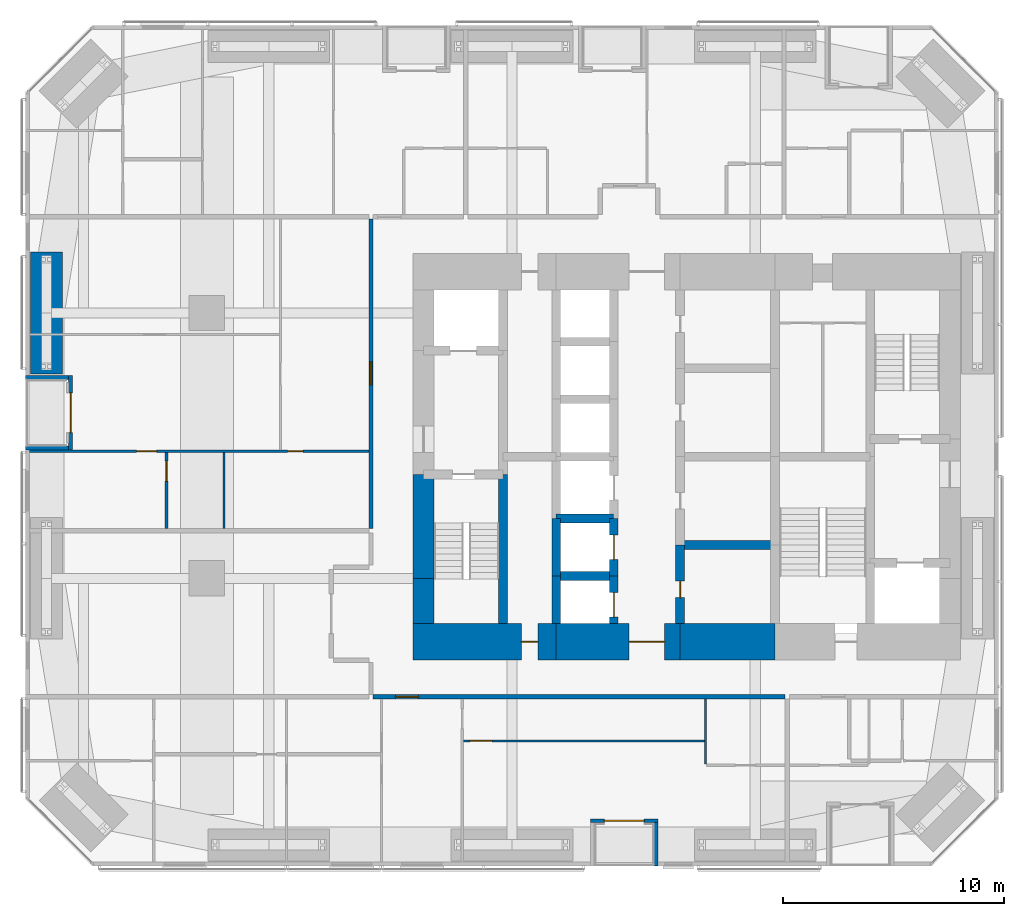
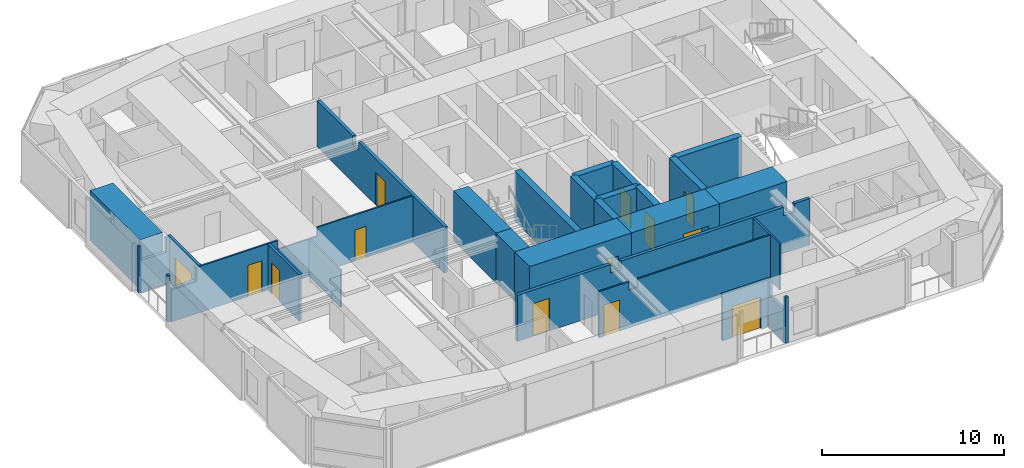
# One storey, part 18 of 24: 27 walls, 13 doors, 13 openings.
"""IFC4 building model written with IfcOpenShell, lengths in metres."""

from ifc_helpers import new_model, si_unit, direction, frame, frame_2d, origin, place, context, subcontext, project, spatial, polyline, rectangle, outline, extrude, material, layer, layer_set, constituent, constituent_set, type_object, element, fill, save


model = new_model("IFC4")

# Units and contexts
model_context = context("Model", 3, precision=1e-05, world=origin(), true_north=direction((0.0, 1.0)))
body_context = subcontext(model_context, "Body", "Model", "MODEL_VIEW")
ifc_project = project(units=[si_unit("LENGTHUNIT", "METRE"), si_unit("AREAUNIT", "SQUARE_METRE"), si_unit("VOLUMEUNIT", "CUBIC_METRE"), si_unit("PLANEANGLEUNIT", "RADIAN"), si_unit("MASSUNIT", "GRAM", prefix="KILO")], contexts=[model_context])

# Site, building, storey
site_placement = place(None, origin())
site = spatial("IfcSite", under=ifc_project, at=site_placement, CompositionType="ELEMENT")
building_placement = place(site_placement, origin())
building = spatial("IfcBuilding", under=site, at=building_placement, Name="Jalousie Tower", CompositionType="ELEMENT")
storey_placement = place(building_placement, frame((0.0, 0.0, 47.800048828125)))
storey = spatial("IfcBuildingStorey", under=building, at=storey_placement, Name="L12", CompositionType="ELEMENT", Elevation=47.800048828125)

# Wall, opening, door
ifc_material_1 = material(Name="Concrete block ASTM C90", Category="concrete")
ifc_constituent_1 = constituent(ifc_material_1, Name="Body")
ifc_material_2 = material(Name="Render")
ifc_constituent_2 = constituent(ifc_material_2, Name="Finish")
ifc_constituent_set_1 = constituent_set(constituents=[ifc_constituent_1, ifc_constituent_2])
wall_type_1 = type_object("IfcWallType", Name="BATHROOM WALL 150", PredefinedType="PLUMBINGWALL", material=ifc_constituent_set_1)
wall_1_placement = place(storey_placement, frame((8.375, 15.25, 0.0), z_axis=(0.0, 0.0, 1.0), x_axis=(0.0, 1.0, 0.0)))
wall_1 = element("IfcWall", 1, at=wall_1_placement, inside=storey, type_object=wall_type_1, Name="Bathroom Wall 150 L12", PredefinedType="PLUMBINGWALL", context=body_context, shape_type="SweptSolid", body=[
    extrude(rectangle(XDim=3.449951171875, YDim=0.14990234375, at=frame_2d((1.72509765625, 0.0))), origin(), (0.0, 0.0, 1.0), 3.10986328125),
])
opening_1_placement = place(wall_1_placement, frame((2.14990234375, 0.0, 0.0)))
opening_1 = element("IfcOpeningElement", 2, at=opening_1_placement, cuts=wall_1, Name="Opening D3", PredefinedType="OPENING", context=body_context, shape_type="SweptSolid", body=[
    extrude(rectangle(XDim=0.89990234375, YDim=2.10009765625, at=frame_2d((0.449951171875, 1.050048828125))), frame((0.0, 0.0849609375, 0.0), z_axis=(0.0, -1.0, 0.0), x_axis=(1.0, 0.0, 0.0)), (0.0, 0.0, 1.0), 0.169921875),
])
ifc_material_3 = material(Name="Timber door", Category="wood")
door_type_1 = type_object("IfcDoorType", Name="BATHROOM DOOR 900", OperationType="SINGLE_SWING_LEFT", PredefinedType="DOOR", material=ifc_material_3)
door_1_placement = place(opening_1_placement, frame((0.89990234375, 0.0, 0.0), z_axis=(0.0, 0.0, 1.0), x_axis=(-1.0, 0.0, 0.0)))
door_1 = element("IfcDoor", 3, at=door_1_placement, inside=storey, type_object=door_type_1, Name="Apartment 1206 bedroom 1 bathroom door", OperationType="SINGLE_SWING_LEFT", OverallHeight=2.10009765625, OverallWidth=0.89990234375, PredefinedType="DOOR", context=body_context, shape_type="SweptSolid", body=[
    extrude(rectangle(XDim=0.89990234375, YDim=2.10009765625, at=frame_2d((0.449951171875, 1.050048828125))), frame((0.0, 0.02490234375, 0.0), z_axis=(0.0, -1.0, 0.0), x_axis=(1.0, 0.0, 0.0)), (0.0, 0.0, 1.0), 0.050048828125),
])
fill(opening_1, door_1)

ifc_material_4 = material(Name="Concrete f'c 120 MPa", Category="concrete")
ifc_layer_1 = layer(ifc_material_4, 1.64990234375)
ifc_layer_set_1 = layer_set([ifc_layer_1], Name="Concrete f'c 120 MPa")
wall_type_2 = type_object("IfcWallType", Name="CORE WALL 1650", PredefinedType="SHEAR", material=ifc_layer_set_1)
wall_2_placement = place(storey_placement, frame((19.52490234375, 10.125, 0.0), z_axis=(0.0, 0.0, 1.0), x_axis=(1.0, 0.0, 0.0)))
wall_2 = element("IfcWall", 4, at=wall_2_placement, inside=storey, type_object=wall_type_2, Name="Core wall SA L12", PredefinedType="SHEAR", context=body_context, shape_type="SweptSolid", body=[
    extrude(rectangle(XDim=6.47509765625, YDim=1.64990234375, at=frame_2d((3.237548828125, 0.0))), origin(), (0.0, 0.0, 1.0), 3.349853515625),
])
opening_2_placement = place(wall_2_placement, frame((4.89990234375, 0.0, 0.0)))
opening_2 = element("IfcOpeningElement", 5, at=opening_2_placement, cuts=wall_2, Name="Opening D16", PredefinedType="OPENING", context=body_context, shape_type="SweptSolid", body=[
    extrude(rectangle(XDim=0.75, YDim=2.10009765625, at=frame_2d((0.375, 1.050048828125))), frame((0.0, 0.8349609375, 0.0), z_axis=(0.0, -1.0, 0.0), x_axis=(1.0, 0.0, 0.0)), (0.0, 0.0, 1.0), 1.669921875),
])
ifc_material_5 = material(Name="Steel fire door", Category="steel")
door_type_2 = type_object("IfcDoorType", Name="RISER DOOR 750", OperationType="SINGLE_SWING_LEFT", PredefinedType="DOOR", material=ifc_material_5)
door_2_placement = place(opening_2_placement, origin())
door_2 = element("IfcDoor", 6, at=door_2_placement, inside=storey, type_object=door_type_2, Name="South riser door", OperationType="SINGLE_SWING_LEFT", OverallHeight=2.10009765625, OverallWidth=0.75, PredefinedType="DOOR", context=body_context, shape_type="SweptSolid", body=[
    extrude(rectangle(XDim=0.75, YDim=2.10009765625, at=frame_2d((0.375, 1.050048828125))), frame((0.0, 0.02490234375, 0.0), z_axis=(0.0, -1.0, 0.0), x_axis=(1.0, 0.0, 0.0)), (0.0, 0.0, 1.0), 0.050048828125),
])
fill(opening_2, door_2)

wall_3_placement = place(storey_placement, frame((26.0, 10.125, 0.0), z_axis=(0.0, 0.0, 1.0), x_axis=(1.0, 0.0, 0.0)))
wall_3 = element("IfcWall", 7, at=wall_3_placement, inside=storey, type_object=wall_type_2, Name="Core wall SB L12", PredefinedType="SHEAR", context=body_context, shape_type="SweptSolid", body=[
    extrude(rectangle(XDim=5.60009765625, YDim=1.64990234375, at=frame_2d((2.800048828125, 0.0))), origin(), (0.0, 0.0, 1.0), 3.349853515625),
])
opening_3_placement = place(wall_3_placement, frame((3.300048828125, 0.0, 0.0)))
opening_3 = element("IfcOpeningElement", 8, at=opening_3_placement, cuts=wall_3, Name="Opening D15", PredefinedType="OPENING", context=body_context, shape_type="SweptSolid", body=[
    extrude(rectangle(XDim=1.60009765625, YDim=2.10009765625, at=frame_2d((0.800048828125, 1.050048828125))), frame((0.0, 0.8349609375, 0.0), z_axis=(0.0, -1.0, 0.0), x_axis=(1.0, 0.0, 0.0)), (0.0, 0.0, 1.0), 1.669921875),
])
ifc_material_6 = material(Name="Steel fire door", Category="steel")
door_type_3 = type_object("IfcDoorType", Name="LIFT LOBBY DOOR 1600", OperationType="DOUBLE_DOOR_SINGLE_SWING", PredefinedType="DOOR", material=ifc_material_6)
door_3_placement = place(opening_3_placement, origin())
door_3 = element("IfcDoor", 9, at=door_3_placement, inside=storey, type_object=door_type_3, Name="Lift lobby south door", OperationType="DOUBLE_DOOR_SINGLE_SWING", OverallHeight=2.10009765625, OverallWidth=1.60009765625, PredefinedType="DOOR", context=body_context, shape_type="SweptSolid", body=[
    extrude(rectangle(XDim=1.60009765625, YDim=2.10009765625, at=frame_2d((0.800048828125, 1.050048828125))), frame((0.0, 0.02490234375, 0.0), z_axis=(0.0, -1.0, 0.0), x_axis=(1.0, 0.0, 0.0)), (0.0, 0.0, 1.0), 0.050048828125),
])
fill(opening_3, door_3)

# Walls
wall_4_placement = place(storey_placement, frame((31.60009765625, 10.125, 0.0), z_axis=(0.0, 0.0, 1.0), x_axis=(1.0, 0.0, 0.0)))
element("IfcWall", 10, at=wall_4_placement, inside=storey, type_object=wall_type_2, Name="Core wall SC L12", PredefinedType="SHEAR", context=body_context, shape_type="SweptSolid", body=[
    extrude(rectangle(XDim=4.2998046875, YDim=1.64990234375, at=frame_2d((2.14990234375, 0.0))), origin(), (0.0, 0.0, 1.0), 3.349853515625),
])
ifc_material_7 = material(Name="Concrete f'c 120 MPa", Category="concrete")
ifc_layer_2 = layer(ifc_material_7, 0.39990234375)
ifc_layer_set_2 = layer_set([ifc_layer_2], Name="Concrete f'c 120 MPa")
wall_type_3 = type_object("IfcWallType", Name="CORE WALL 400", PredefinedType="SHEAR", material=ifc_layer_set_2)
wall_5_placement = place(storey_placement, frame((23.60009765625, 10.949951171875, 0.0), z_axis=(0.0, 0.0, 1.0), x_axis=(0.0, 1.0, 0.0)))
element("IfcWall", 11, at=wall_5_placement, inside=storey, type_object=wall_type_3, Name="Core wall X23.6A L12", PredefinedType="SHEAR", context=body_context, shape_type="SweptSolid", body=[
    extrude(rectangle(XDim=6.75, YDim=0.39990234375, at=frame_2d((3.375, 0.0))), origin(), (0.0, 0.0, 1.0), 3.349853515625),
])
wall_6_placement = place(storey_placement, frame((26.0, 10.949951171875, 0.0), z_axis=(0.0, 0.0, 1.0), x_axis=(0.0, 1.0, 0.0)))
element("IfcWall", 12, at=wall_6_placement, inside=storey, type_object=wall_type_3, Name="Core wall X26A L12", PredefinedType="SHEAR", context=body_context, shape_type="SweptSolid", body=[
    extrude(rectangle(XDim=2.150146484375, YDim=0.39990234375, at=frame_2d((1.0751953125, 0.0))), origin(), (0.0, 0.0, 1.0), 3.349853515625),
])
wall_7_placement = place(storey_placement, frame((26.0, 13.10009765625, 0.0), z_axis=(0.0, 0.0, 1.0), x_axis=(0.0, 1.0, 0.0)))
element("IfcWall", 13, at=wall_7_placement, inside=storey, type_object=wall_type_3, Name="Core wall X26B L12", PredefinedType="SHEAR", context=body_context, shape_type="SweptSolid", body=[
    extrude(rectangle(XDim=2.599853515625, YDim=0.39990234375, at=frame_2d((1.2998046875, 0.0))), origin(), (0.0, 0.0, 1.0), 3.349853515625),
])

# Wall, opening, door
wall_8_placement = place(storey_placement, frame((28.60009765625, 10.949951171875, 0.0), z_axis=(0.0, 0.0, 1.0), x_axis=(0.0, 1.0, 0.0)))
wall_8 = element("IfcWall", 14, at=wall_8_placement, inside=storey, type_object=wall_type_3, Name="Core wall X28.6A L12", PredefinedType="SHEAR", context=body_context, shape_type="SweptSolid", body=[
    extrude(rectangle(XDim=2.150146484375, YDim=0.39990234375, at=frame_2d((1.0751953125, 0.0))), origin(), (0.0, 0.0, 1.0), 3.349853515625),
])
opening_4_placement = place(wall_8_placement, frame((0.300048828125, 0.0, 0.0)))
opening_4 = element("IfcOpeningElement", 15, at=opening_4_placement, cuts=wall_8, Name="Opening LD1", PredefinedType="OPENING", context=body_context, shape_type="SweptSolid", body=[
    extrude(rectangle(XDim=1.10009765625, YDim=2.10009765625, at=frame_2d((0.550048828125, 1.050048828125))), frame((0.0, 0.2099609375, 0.0), z_axis=(0.0, -1.0, 0.0), x_axis=(1.0, 0.0, 0.0)), (0.0, 0.0, 1.0), 0.419921875),
])
ifc_material_8 = material(Name="Steel lift landing door", Category="steel")
door_type_4 = type_object("IfcDoorType", Name="LIFT LANDING DOOR 1100", OperationType="SLIDING_TO_LEFT", PredefinedType="DOOR", material=ifc_material_8)
door_4_placement = place(opening_4_placement, origin())
door_4 = element("IfcDoor", 16, at=door_4_placement, inside=storey, type_object=door_type_4, Name="Lift P1 landing door", OperationType="SLIDING_TO_LEFT", OverallHeight=2.10009765625, OverallWidth=1.10009765625, PredefinedType="DOOR", context=body_context, shape_type="SweptSolid", body=[
    extrude(rectangle(XDim=1.10009765625, YDim=2.10009765625, at=frame_2d((0.550048828125, 1.050048828125))), frame((0.0, 0.02490234375, 0.0), z_axis=(0.0, -1.0, 0.0), x_axis=(1.0, 0.0, 0.0)), (0.0, 0.0, 1.0), 0.050048828125),
])
fill(opening_4, door_4)

wall_9_placement = place(storey_placement, frame((28.60009765625, 13.10009765625, 0.0), z_axis=(0.0, 0.0, 1.0), x_axis=(0.0, 1.0, 0.0)))
wall_9 = element("IfcWall", 17, at=wall_9_placement, inside=storey, type_object=wall_type_3, Name="Core wall X28.6B L12", PredefinedType="SHEAR", context=body_context, shape_type="SweptSolid", body=[
    extrude(rectangle(XDim=2.599853515625, YDim=0.39990234375, at=frame_2d((1.2998046875, 0.0))), origin(), (0.0, 0.0, 1.0), 3.349853515625),
])
opening_5_placement = place(wall_9_placement, frame((0.75, 0.0, 0.0)))
opening_5 = element("IfcOpeningElement", 18, at=opening_5_placement, cuts=wall_9, Name="Opening LD1", PredefinedType="OPENING", context=body_context, shape_type="SweptSolid", body=[
    extrude(rectangle(XDim=1.10009765625, YDim=2.10009765625, at=frame_2d((0.550048828125, 1.050048828125))), frame((0.0, 0.2099609375, 0.0), z_axis=(0.0, -1.0, 0.0), x_axis=(1.0, 0.0, 0.0)), (0.0, 0.0, 1.0), 0.419921875),
])
door_5_placement = place(opening_5_placement, origin())
door_5 = element("IfcDoor", 19, at=door_5_placement, inside=storey, type_object=door_type_4, Name="Lift P2 landing door", OperationType="SLIDING_TO_LEFT", OverallHeight=2.10009765625, OverallWidth=1.10009765625, PredefinedType="DOOR", context=body_context, shape_type="SweptSolid", body=[
    extrude(rectangle(XDim=1.10009765625, YDim=2.10009765625, at=frame_2d((0.550048828125, 1.050048828125))), frame((0.0, 0.02490234375, 0.0), z_axis=(0.0, -1.0, 0.0), x_axis=(1.0, 0.0, 0.0)), (0.0, 0.0, 1.0), 0.050048828125),
])
fill(opening_5, door_5)

wall_10_placement = place(storey_placement, frame((31.60009765625, 10.949951171875, 0.0), z_axis=(0.0, 0.0, 1.0), x_axis=(0.0, 1.0, 0.0)))
wall_10 = element("IfcWall", 20, at=wall_10_placement, inside=storey, type_object=wall_type_3, Name="Core wall X31.6A L12", PredefinedType="SHEAR", context=body_context, shape_type="SweptSolid", body=[
    extrude(rectangle(XDim=3.550048828125, YDim=0.39990234375, at=frame_2d((1.77490234375, 0.0))), origin(), (0.0, 0.0, 1.0), 3.349853515625),
])
opening_6_placement = place(wall_10_placement, frame((1.175048828125, 0.0, 0.0)))
opening_6 = element("IfcOpeningElement", 21, at=opening_6_placement, cuts=wall_10, Name="Opening D16", PredefinedType="OPENING", context=body_context, shape_type="SweptSolid", body=[
    extrude(rectangle(XDim=0.75, YDim=2.10009765625, at=frame_2d((0.375, 1.050048828125))), frame((0.0, 0.2099609375, 0.0), z_axis=(0.0, -1.0, 0.0), x_axis=(1.0, 0.0, 0.0)), (0.0, 0.0, 1.0), 0.419921875),
])
door_6_placement = place(opening_6_placement, frame((0.75, 0.0, 0.0), z_axis=(0.0, 0.0, 1.0), x_axis=(-1.0, 0.0, 0.0)))
door_6 = element("IfcDoor", 22, at=door_6_placement, inside=storey, type_object=door_type_2, Name="Refuse Room door", OperationType="SINGLE_SWING_RIGHT", OverallHeight=2.10009765625, OverallWidth=0.75, PredefinedType="DOOR", context=body_context, shape_type="SweptSolid", body=[
    extrude(rectangle(XDim=0.75, YDim=2.10009765625, at=frame_2d((0.375, 1.050048828125))), frame((0.0, 0.02490234375, 0.0), z_axis=(0.0, -1.0, 0.0), x_axis=(1.0, 0.0, 0.0)), (0.0, 0.0, 1.0), 0.050048828125),
])
fill(opening_6, door_6)

# Walls
for number, where, z_axis, x_axis, name in (
    (23, (26.0, 13.10009765625, 0.0), (0.0, 0.0, 1.0), (1.0, 0.0, 0.0), "Core wall Y26-13.1 L12"),
    (24, (26.0, 15.699951171875, 0.0), (0.0, 0.0, 1.0), (1.0, 0.0, 0.0), "Core wall Y26-15.7 L12"),
):
    element("IfcWall", number, at=place(storey_placement, frame(where, z_axis=z_axis, x_axis=x_axis)), inside=storey, type_object=wall_type_3, Name=name, PredefinedType="SHEAR", context=body_context, shape_type="SweptSolid", body=[
        extrude(rectangle(XDim=2.60009765625, YDim=0.39990234375, at=frame_2d((1.300048828125, 0.0))), origin(), (0.0, 0.0, 1.0), 3.349853515625),
    ])
wall_11_placement = place(storey_placement, frame((31.60009765625, 14.5, 0.0), z_axis=(0.0, 0.0, 1.0), x_axis=(1.0, 0.0, 0.0)))
element("IfcWall", 25, at=wall_11_placement, inside=storey, type_object=wall_type_3, Name="Core wall Y31.6-14.5 L12", PredefinedType="SHEAR", context=body_context, shape_type="SweptSolid", body=[
    extrude(rectangle(XDim=4.2998046875, YDim=0.39990234375, at=frame_2d((2.14990234375, 0.0))), origin(), (0.0, 0.0, 1.0), 3.349853515625),
])
ifc_material_9 = material(Name="Concrete f'c 120 MPa", Category="concrete")
ifc_layer_3 = layer(ifc_material_9, 0.949951171875)
ifc_layer_set_3 = layer_set([ifc_layer_3], Name="Concrete f'c 120 MPa")
wall_type_4 = type_object("IfcWallType", Name="CORE WALL 950", PredefinedType="SHEAR", material=ifc_layer_set_3)
wall_12_placement = place(storey_placement, frame((20.0, 17.699951171875, 0.0), z_axis=(0.0, 0.0, 1.0), x_axis=(0.0, -1.0, 0.0)))
element("IfcWall", 26, at=wall_12_placement, inside=storey, type_object=wall_type_4, Name="Core wall WC L12", PredefinedType="SHEAR", context=body_context, shape_type="SweptSolid", body=[
    extrude(rectangle(XDim=4.699951171875, YDim=0.949951171875, at=frame_2d((2.35009765625, 0.0))), origin(), (0.0, 0.0, 1.0), 3.349853515625),
])
wall_13_placement = place(storey_placement, frame((20.0, 13.0, 0.0), z_axis=(0.0, 0.0, 1.0), x_axis=(0.0, -1.0, 0.0)))
element("IfcWall", 27, at=wall_13_placement, inside=storey, type_object=wall_type_4, Name="Core wall WD L12", PredefinedType="SHEAR", context=body_context, shape_type="SweptSolid", body=[
    extrude(rectangle(XDim=2.050048828125, YDim=0.949951171875, at=frame_2d((1.02490234375, 0.0))), origin(), (0.0, 0.0, 1.0), 3.349853515625),
])

# Wall, opening, door
ifc_material_10 = material(Name="Concrete block ASTM C90", Category="concrete")
ifc_constituent_3 = constituent(ifc_material_10, Name="Body")
ifc_material_11 = material(Name="Render")
ifc_constituent_4 = constituent(ifc_material_11, Name="Finish")
ifc_constituent_set_2 = constituent_set(constituents=[ifc_constituent_3, ifc_constituent_4])
wall_type_5 = type_object("IfcWallType", Name="CORRIDOR WALL 200", PredefinedType="PARTITIONING", material=ifc_constituent_set_2)
wall_14_placement = place(storey_placement, frame((17.72509765625, 7.64990234375, 0.0), z_axis=(0.0, 0.0, 1.0), x_axis=(1.0, 0.0, 0.0)))
wall_14 = element("IfcWall", 28, at=wall_14_placement, inside=storey, type_object=wall_type_5, Name="Corridor Wall 200 L12", PredefinedType="PARTITIONING", context=body_context, shape_type="SweptSolid", body=[
    extrude(outline(polyline([(0.0, 0.0), (18.625, 0.0), (18.625, 3.10986328125), (17.6123046875, 3.10986328125), (17.6123046875, 2.541015625), (16.9375, 2.541015625), (16.9375, 3.10986328125), (6.6123046875, 3.10986328125), (6.6123046875, 2.541015625), (5.9375, 2.541015625), (5.9375, 3.10986328125), (0.0, 3.10986328125), (0.0, 0.0)])), frame((0.0, 0.10009765625, 0.0), z_axis=(0.0, -1.0, 0.0), x_axis=(1.0, 0.0, 0.0)), (0.0, 0.0, 1.0), 0.199951171875),
])
opening_7_placement = place(wall_14_placement, frame((1.0, 0.0, 0.0)))
opening_7 = element("IfcOpeningElement", 29, at=opening_7_placement, cuts=wall_14, Name="Opening D1", PredefinedType="OPENING", context=body_context, shape_type="SweptSolid", body=[
    extrude(rectangle(XDim=1.050048828125, YDim=2.199951171875, at=frame_2d((0.52490234375, 1.10009765625))), frame((0.0, 0.10986328125, 0.0), z_axis=(0.0, -1.0, 0.0), x_axis=(1.0, 0.0, 0.0)), (0.0, 0.0, 1.0), 0.219970703125),
])
ifc_material_12 = material(Name="Timber fire door", Category="wood")
door_type_5 = type_object("IfcDoorType", Name="APARTMENT ENTRANCE DOOR 1050", OperationType="SINGLE_SWING_LEFT", PredefinedType="DOOR", material=ifc_material_12)
door_7_placement = place(opening_7_placement, frame((1.050048828125, 0.0, 0.0), z_axis=(0.0, 0.0, 1.0), x_axis=(-1.0, 0.0, 0.0)))
door_7 = element("IfcDoor", 30, at=door_7_placement, inside=storey, type_object=door_type_5, Name="Apartment 1201 entrance", OperationType="SINGLE_SWING_RIGHT", OverallHeight=2.199951171875, OverallWidth=1.050048828125, PredefinedType="DOOR", context=body_context, shape_type="SweptSolid", body=[
    extrude(rectangle(XDim=1.050048828125, YDim=2.199951171875, at=frame_2d((0.52490234375, 1.10009765625))), frame((0.0, 0.02490234375, 0.0), z_axis=(0.0, -1.0, 0.0), x_axis=(1.0, 0.0, 0.0)), (0.0, 0.0, 1.0), 0.050048828125),
])
fill(opening_7, door_7)

wall_15_placement = place(storey_placement, frame((17.625, 15.25, 0.0), z_axis=(0.0, 0.0, 1.0), x_axis=(0.0, 1.0, 0.0)))
wall_15 = element("IfcWall", 31, at=wall_15_placement, inside=storey, type_object=wall_type_5, Name="Corridor Wall 200 L12", PredefinedType="PARTITIONING", context=body_context, shape_type="SweptSolid", body=[
    extrude(outline(polyline([(0.0, 0.0), (14.0, 0.0), (14.0, 3.10986328125), (10.08740234375, 3.10986328125), (10.08740234375, 2.541015625), (9.41259765625, 2.541015625), (9.41259765625, 3.10986328125), (0.0, 3.10986328125), (0.0, 0.0)])), frame((0.0, 0.10009765625, 0.0), z_axis=(0.0, -1.0, 0.0), x_axis=(1.0, 0.0, 0.0)), (0.0, 0.0, 1.0), 0.199951171875),
])
opening_8_placement = place(wall_15_placement, frame((6.5, 0.0, 0.0)))
opening_8 = element("IfcOpeningElement", 32, at=opening_8_placement, cuts=wall_15, Name="Opening D1", PredefinedType="OPENING", context=body_context, shape_type="SweptSolid", body=[
    extrude(rectangle(XDim=1.050048828125, YDim=2.199951171875, at=frame_2d((0.52490234375, 1.10009765625))), frame((0.0, 0.10986328125, 0.0), z_axis=(0.0, -1.0, 0.0), x_axis=(1.0, 0.0, 0.0)), (0.0, 0.0, 1.0), 0.219970703125),
])
door_8_placement = place(opening_8_placement, origin())
door_8 = element("IfcDoor", 33, at=door_8_placement, inside=storey, type_object=door_type_5, Name="Apartment 1206 entrance", OperationType="SINGLE_SWING_LEFT", OverallHeight=2.199951171875, OverallWidth=1.050048828125, PredefinedType="DOOR", context=body_context, shape_type="SweptSolid", body=[
    extrude(rectangle(XDim=1.050048828125, YDim=2.199951171875, at=frame_2d((0.52490234375, 1.10009765625))), frame((0.0, 0.02490234375, 0.0), z_axis=(0.0, -1.0, 0.0), x_axis=(1.0, 0.0, 0.0)), (0.0, 0.0, 1.0), 0.050048828125),
])
fill(opening_8, door_8)

ifc_material_13 = material(Name="Concrete f'c 40 MPa", Category="concrete")
ifc_constituent_5 = constituent(ifc_material_13, Name="Body")
ifc_material_14 = material(Name="Render, pastel coral")
ifc_constituent_6 = constituent(ifc_material_14, Name="Finish")
ifc_constituent_set_3 = constituent_set(constituents=[ifc_constituent_5, ifc_constituent_6])
wall_type_6 = type_object("IfcWallType", Name="EXTERNAL WALL 175 CORAL RENDER", PredefinedType="SOLIDWALL", material=ifc_constituent_set_3)
wall_16_placement = place(storey_placement, frame((27.550048828125, 2.03759765625, 0.0), z_axis=(0.0, 0.0, 1.0), x_axis=(1.0, 0.0, 0.0)))
wall_16 = element("IfcWall", 34, at=wall_16_placement, inside=storey, type_object=wall_type_6, Name="External Wall 175 Coral Render L12", PredefinedType="SOLIDWALL", context=body_context, shape_type="SweptSolid", body=[
    extrude(rectangle(XDim=3.050048828125, YDim=0.175048828125, at=frame_2d((1.52490234375, 0.0))), origin(), (0.0, 0.0, 1.0), 3.10986328125),
])
opening_9_placement = place(wall_16_placement, frame((0.625, 0.0, 0.0)))
opening_9 = element("IfcOpeningElement", 35, at=opening_9_placement, cuts=wall_16, Name="Opening D-BAL21", PredefinedType="OPENING", context=body_context, shape_type="SweptSolid", body=[
    extrude(rectangle(XDim=1.800048828125, YDim=2.10009765625, at=frame_2d((0.89990234375, 1.050048828125))), frame((0.0, 0.097412109375, 0.0), z_axis=(0.0, -1.0, 0.0), x_axis=(1.0, 0.0, 0.0)), (0.0, 0.0, 1.0), 0.195068359375),
])
ifc_material_15 = material(Name="Aluminium frame, impact-rated glazing", Category="aluminium")
door_type_6 = type_object("IfcDoorType", Name="BALCONY DOOR 1800x2100", OperationType="SLIDING_TO_LEFT", PredefinedType="DOOR", material=ifc_material_15)
door_9_placement = place(opening_9_placement, origin())
door_9 = element("IfcDoor", 36, at=door_9_placement, inside=storey, type_object=door_type_6, Name="Apartment 1201 living and dining room loggia door", OperationType="SLIDING_TO_LEFT", OverallHeight=2.10009765625, OverallWidth=1.800048828125, PredefinedType="DOOR", context=body_context, shape_type="SweptSolid", body=[
    extrude(rectangle(XDim=1.800048828125, YDim=2.10009765625, at=frame_2d((0.89990234375, 1.050048828125))), frame((0.0, 0.02490234375, 0.0), z_axis=(0.0, -1.0, 0.0), x_axis=(1.0, 0.0, 0.0)), (0.0, 0.0, 1.0), 0.050048828125),
])
fill(opening_9, door_9)

# Wall
wall_17_placement = place(storey_placement, frame((30.512451171875, 0.0, 0.0), z_axis=(0.0, 0.0, 1.0), x_axis=(0.0, 1.0, 0.0)))
element("IfcWall", 37, at=wall_17_placement, inside=storey, type_object=wall_type_6, Name="External Wall 175 Coral Render L12", PredefinedType="SOLIDWALL", context=body_context, shape_type="SweptSolid", body=[
    extrude(outline(polyline([(0.0, 0.0), (1.949951171875, 0.0), (1.949951171875, 3.10986328125), (1.75, 3.10986328125), (1.75, 2.14990234375), (0.14990234375, 2.14990234375), (0.14990234375, 3.10986328125), (0.0, 3.10986328125), (0.0, 0.0)])), frame((0.0, 0.08740234375, 0.0), z_axis=(0.0, -1.0, 0.0), x_axis=(1.0, 0.0, 0.0)), (0.0, 0.0, 1.0), 0.175048828125),
])

# Wall, opening, door
wall_18_placement = place(storey_placement, frame((4.03759765625, 22.175048828125, 0.0), z_axis=(0.0, 0.0, 1.0), x_axis=(0.0, -1.0, 0.0)))
wall_18 = element("IfcWall", 38, at=wall_18_placement, inside=storey, type_object=wall_type_6, Name="External Wall 175 Coral Render L12", PredefinedType="SOLIDWALL", context=body_context, shape_type="SweptSolid", body=[
    extrude(rectangle(XDim=3.375, YDim=0.175048828125, at=frame_2d((1.6875, 0.0))), origin(), (0.0, 0.0, 1.0), 3.10986328125),
])
opening_10_placement = place(wall_18_placement, frame((0.78759765625, 0.0, 0.0)))
opening_10 = element("IfcOpeningElement", 39, at=opening_10_placement, cuts=wall_18, Name="Opening D-BAL21", PredefinedType="OPENING", context=body_context, shape_type="SweptSolid", body=[
    extrude(rectangle(XDim=1.800048828125, YDim=2.10009765625, at=frame_2d((0.89990234375, 1.050048828125))), frame((0.0, 0.097412109375, 0.0), z_axis=(0.0, -1.0, 0.0), x_axis=(1.0, 0.0, 0.0)), (0.0, 0.0, 1.0), 0.195068359375),
])
door_10_placement = place(opening_10_placement, origin())
door_10 = element("IfcDoor", 40, at=door_10_placement, inside=storey, type_object=door_type_6, Name="Apartment 1206 living room loggia door", OperationType="SLIDING_TO_LEFT", OverallHeight=2.10009765625, OverallWidth=1.800048828125, PredefinedType="DOOR", context=body_context, shape_type="SweptSolid", body=[
    extrude(rectangle(XDim=1.800048828125, YDim=2.10009765625, at=frame_2d((0.89990234375, 1.050048828125))), frame((0.0, 0.02490234375, 0.0), z_axis=(0.0, -1.0, 0.0), x_axis=(1.0, 0.0, 0.0)), (0.0, 0.0, 1.0), 0.050048828125),
])
fill(opening_10, door_10)

# Walls
for number, where, z_axis, x_axis, name in (
    (41, (2.0, 22.08740234375, 0.0), (0.0, 0.0, 1.0), (1.0, 0.0, 0.0), "External Wall 175 Coral Render L12"),
    (42, (2.0, 18.887451171875, 0.0), (0.0, 0.0, 1.0), (1.0, 0.0, 0.0), "External Wall 175 Coral Render L12"),
):
    element("IfcWall", number, at=place(storey_placement, frame(where, z_axis=z_axis, x_axis=x_axis)), inside=storey, type_object=wall_type_6, Name=name, PredefinedType="SOLIDWALL", context=body_context, shape_type="SweptSolid", body=[
        extrude(outline(polyline([(0.0, 0.0), (1.949951171875, 0.0), (1.949951171875, 3.10986328125), (1.75, 3.10986328125), (1.75, 2.14990234375), (0.14990234375, 2.14990234375), (0.14990234375, 3.10986328125), (0.0, 3.10986328125), (0.0, 0.0)])), frame((0.0, 0.08740234375, 0.0), z_axis=(0.0, -1.0, 0.0), x_axis=(1.0, 0.0, 0.0)), (0.0, 0.0, 1.0), 0.175048828125),
    ])
ifc_material_16 = material(Name="Gypsum board", Category="gypsum")
ifc_constituent_7 = constituent(ifc_material_16, Name="Body")
ifc_material_17 = material(Name="Light-gauge steel studs ASTM A653 SS Grade 33", Category="steel")
ifc_constituent_8 = constituent(ifc_material_17, Name="Framing")
ifc_constituent_set_4 = constituent_set(constituents=[ifc_constituent_7, ifc_constituent_8])
wall_type_7 = type_object("IfcWallType", Name="PARTITION 100", PredefinedType="PARTITIONING", material=ifc_constituent_set_4)
wall_19_placement = place(storey_placement, frame((32.75, 4.60009765625, 0.0), z_axis=(0.0, 0.0, 1.0), x_axis=(0.0, 1.0, 0.0)))
element("IfcWall", 43, at=wall_19_placement, inside=storey, type_object=wall_type_7, Name="Partition 100 L12", PredefinedType="PARTITIONING", context=body_context, shape_type="SweptSolid", body=[
    extrude(rectangle(XDim=2.949951171875, YDim=0.10009765625, at=frame_2d((1.47509765625, 0.0))), origin(), (0.0, 0.0, 1.0), 3.10986328125),
])

# Wall, opening, door
wall_20_placement = place(storey_placement, frame((21.800048828125, 5.64990234375, 0.0), z_axis=(0.0, 0.0, 1.0), x_axis=(1.0, 0.0, 0.0)))
wall_20 = element("IfcWall", 44, at=wall_20_placement, inside=storey, type_object=wall_type_7, Name="Partition 100 L12", PredefinedType="PARTITIONING", context=body_context, shape_type="SweptSolid", body=[
    extrude(outline(polyline([(0.0, 0.0), (10.89990234375, 0.0), (10.89990234375, 3.10986328125), (2.4873046875, 3.10986328125), (2.4873046875, 2.541015625), (1.91259765625, 2.541015625), (1.91259765625, 3.10986328125), (0.0, 3.10986328125), (0.0, 0.0)])), frame((0.0, 0.050048828125, 0.0), z_axis=(0.0, -1.0, 0.0), x_axis=(1.0, 0.0, 0.0)), (0.0, 0.0, 1.0), 0.10009765625),
])
opening_11_placement = place(wall_20_placement, frame((0.300048828125, 0.0, 0.0)))
opening_11 = element("IfcOpeningElement", 45, at=opening_11_placement, cuts=wall_20, Name="Opening D6", PredefinedType="OPENING", context=body_context, shape_type="SweptSolid", body=[
    extrude(rectangle(XDim=1.0, YDim=2.10009765625, at=frame_2d((0.5, 1.050048828125))), frame((0.0, 0.06005859375, 0.0), z_axis=(0.0, -1.0, 0.0), x_axis=(1.0, 0.0, 0.0)), (0.0, 0.0, 1.0), 0.1201171875),
])
ifc_material_18 = material(Name="Timber door", Category="wood")
door_type_7 = type_object("IfcDoorType", Name="INTERNAL DOOR 1000", OperationType="SINGLE_SWING_LEFT", PredefinedType="DOOR", material=ifc_material_18)
door_11_placement = place(opening_11_placement, frame((1.0, 0.0, 0.0), z_axis=(0.0, 0.0, 1.0), x_axis=(-1.0, 0.0, 0.0)))
door_11 = element("IfcDoor", 46, at=door_11_placement, inside=storey, type_object=door_type_7, Name="Apartment 1201 hall door", OperationType="SINGLE_SWING_RIGHT", OverallHeight=2.10009765625, OverallWidth=1.0, PredefinedType="DOOR", context=body_context, shape_type="SweptSolid", body=[
    extrude(rectangle(XDim=1.0, YDim=2.10009765625, at=frame_2d((0.5, 1.050048828125))), frame((0.0, 0.02490234375, 0.0), z_axis=(0.0, -1.0, 0.0), x_axis=(1.0, 0.0, 0.0)), (0.0, 0.0, 1.0), 0.050048828125),
])
fill(opening_11, door_11)

# Wall, openings, doors
wall_21_placement = place(storey_placement, frame((2.175048828125, 18.75, 0.0), z_axis=(0.0, 0.0, 1.0), x_axis=(1.0, 0.0, 0.0)))
wall_21 = element("IfcWall", 47, at=wall_21_placement, inside=storey, type_object=wall_type_7, Name="Partition 100 L12", PredefinedType="PARTITIONING", context=body_context, shape_type="SweptSolid", body=[
    extrude(outline(polyline([(0.0, 0.0), (15.349853515625, 0.0), (15.35009765625, 3.10986328125), (9.284912109375, 3.10986328125), (9.284912109375, 2.510009765625), (6.764892578125, 2.510009765625), (6.764892578125, 3.10986328125), (1.635009765625, 3.10986328125), (1.635009765625, 2.14990234375), (0.0, 2.14990234375), (0.0, 3.10986328125), (0.0, 0.0)])), frame((0.0, 0.050048828125, 0.0), z_axis=(0.0, -1.0, 0.0), x_axis=(1.0, 0.0, 0.0)), (0.0, 0.0, 1.0), 0.10009765625),
])
opening_12_placement = place(wall_21_placement, frame((4.85009765625, 0.0, 0.0)))
opening_12 = element("IfcOpeningElement", 48, at=opening_12_placement, cuts=wall_21, Name="Opening D2", PredefinedType="OPENING", context=body_context, shape_type="SweptSolid", body=[
    extrude(rectangle(XDim=0.89990234375, YDim=2.10009765625, at=frame_2d((0.449951171875, 1.050048828125))), frame((0.0, 0.06005859375, 0.0), z_axis=(0.0, -1.0, 0.0), x_axis=(1.0, 0.0, 0.0)), (0.0, 0.0, 1.0), 0.1201171875),
])
opening_13_placement = place(wall_21_placement, frame((11.675048828125, 0.0, 0.0)))
opening_13 = element("IfcOpeningElement", 49, at=opening_13_placement, cuts=wall_21, Name="Opening D4", PredefinedType="OPENING", context=body_context, shape_type="SweptSolid", body=[
    extrude(rectangle(XDim=0.699951171875, YDim=2.10009765625, at=frame_2d((0.35009765625, 1.050048828125))), frame((0.0, 0.06005859375, 0.0), z_axis=(0.0, -1.0, 0.0), x_axis=(1.0, 0.0, 0.0)), (0.0, 0.0, 1.0), 0.1201171875),
])
ifc_material_19 = material(Name="Timber door", Category="wood")
door_type_8 = type_object("IfcDoorType", Name="BEDROOM DOOR 900", OperationType="SINGLE_SWING_LEFT", PredefinedType="DOOR", material=ifc_material_19)
door_12_placement = place(opening_12_placement, frame((0.89990234375, 0.0, 0.0), z_axis=(0.0, 0.0, 1.0), x_axis=(-1.0, 0.0, 0.0)))
door_12 = element("IfcDoor", 50, at=door_12_placement, inside=storey, type_object=door_type_8, Name="Apartment 1206 bedroom 1 door", OperationType="SINGLE_SWING_LEFT", OverallHeight=2.10009765625, OverallWidth=0.89990234375, PredefinedType="DOOR", context=body_context, shape_type="SweptSolid", body=[
    extrude(rectangle(XDim=0.89990234375, YDim=2.10009765625, at=frame_2d((0.449951171875, 1.050048828125))), frame((0.0, 0.02490234375, 0.0), z_axis=(0.0, -1.0, 0.0), x_axis=(1.0, 0.0, 0.0)), (0.0, 0.0, 1.0), 0.050048828125),
])
fill(opening_12, door_12)
ifc_material_20 = material(Name="Timber door", Category="wood")
door_type_9 = type_object("IfcDoorType", Name="STORE DOOR 700", OperationType="SINGLE_SWING_LEFT", PredefinedType="DOOR", material=ifc_material_20)
door_13_placement = place(opening_13_placement, frame((0.699951171875, 0.0, 0.0), z_axis=(0.0, 0.0, 1.0), x_axis=(-1.0, 0.0, 0.0)))
door_13 = element("IfcDoor", 51, at=door_13_placement, inside=storey, type_object=door_type_9, Name="Apartment 1206 store door", OperationType="SINGLE_SWING_RIGHT", OverallHeight=2.10009765625, OverallWidth=0.699951171875, PredefinedType="DOOR", context=body_context, shape_type="SweptSolid", body=[
    extrude(rectangle(XDim=0.699951171875, YDim=2.10009765625, at=frame_2d((0.35009765625, 1.050048828125))), frame((0.0, 0.02490234375, 0.0), z_axis=(0.0, -1.0, 0.0), x_axis=(1.0, 0.0, 0.0)), (0.0, 0.0, 1.0), 0.050048828125),
])
fill(opening_13, door_13)

# Walls
wall_22_placement = place(storey_placement, frame((10.97509765625, 15.25, 0.0), z_axis=(0.0, 0.0, 1.0), x_axis=(0.0, 1.0, 0.0)))
element("IfcWall", 52, at=wall_22_placement, inside=storey, type_object=wall_type_7, Name="Partition 100 L12", PredefinedType="PARTITIONING", context=body_context, shape_type="SweptSolid", body=[
    extrude(outline(polyline([(0.0, 0.0), (3.449951171875, 0.0), (3.449951171875, 3.10986328125), (3.449951171875, 2.510009765625), (0.0, 2.510009765625), (0.0, 3.10986328125), (0.0, 0.0)])), frame((0.0, 0.050048828125, 0.0), z_axis=(0.0, -1.0, 0.0), x_axis=(1.0, 0.0, 0.0)), (0.0, 0.0, 1.0), 0.10009765625),
])
ifc_material_21 = material(Name="Concrete f'c 120 MPa", Category="concrete")
ifc_layer_4 = layer(ifc_material_21, 1.449951171875)
ifc_layer_set_4 = layer_set([ifc_layer_4], Name="Concrete f'c 120 MPa")
wall_type_8 = type_object("IfcWallType", Name="RC WALL PIER 1450", PredefinedType="SHEAR", material=ifc_layer_set_4)
wall_23_placement = place(storey_placement, frame((2.949951171875, 22.25, 0.0), z_axis=(0.0, 0.0, 1.0), x_axis=(0.0, 1.0, 0.0)))
element("IfcWall", 53, at=wall_23_placement, inside=storey, type_object=wall_type_8, Name="Wall pier 13 L12", PredefinedType="SHEAR", context=body_context, shape_type="SweptSolid", body=[
    extrude(rectangle(XDim=5.5, YDim=1.449951171875, at=frame_2d((2.75, 0.0))), origin(), (0.0, 0.0, 1.0), 3.349853515625),
])

save(model, "model.ifc")
